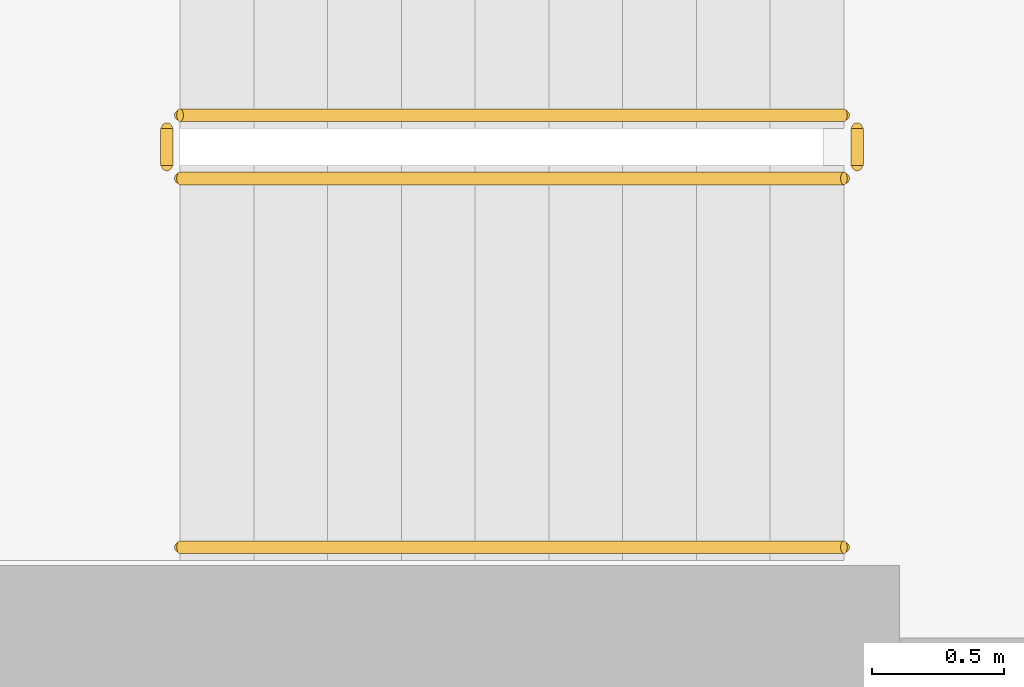
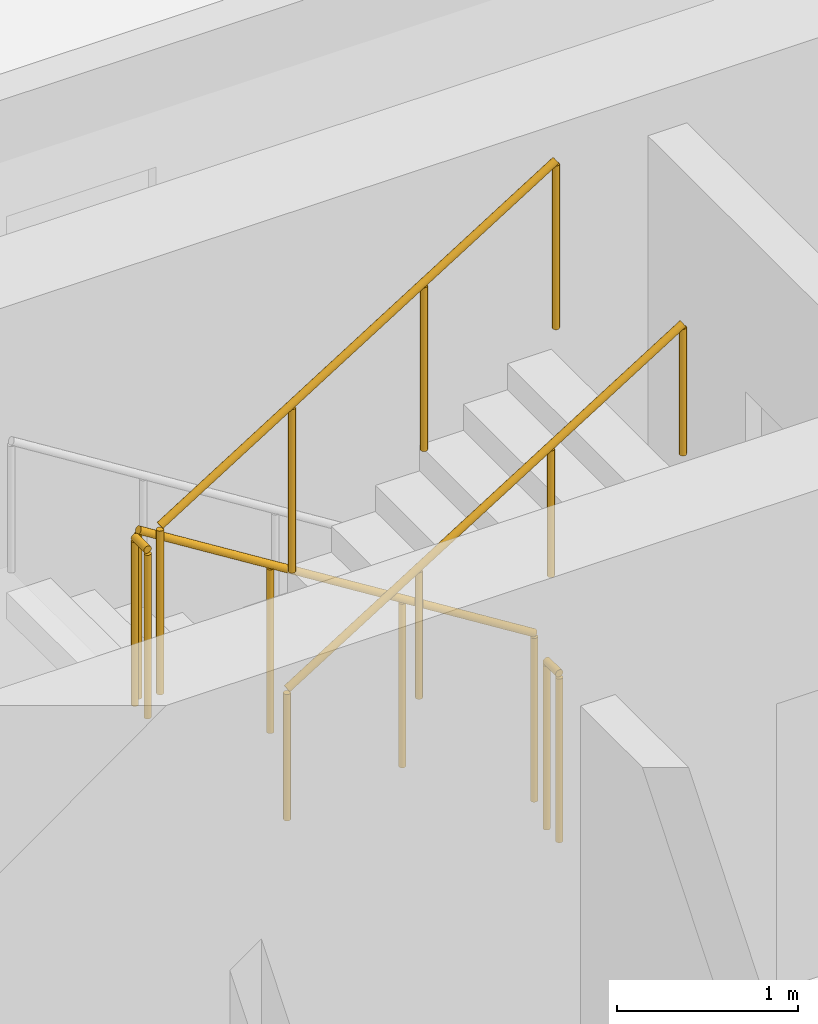
# One storey, part 25 of 27: 5 railings.
"""IFC4 building model written with IfcOpenShell, lengths in metres."""

from ifc_helpers import new_model, si_unit, derived_unit, direction, frame, origin, origin_2d, place, context, subcontext, project, spatial, circle, extrude, material, type_object, element, save


model = new_model("IFC4")

# Units and contexts
model_context = context("Model", 3, precision=1e-05, world=origin(), true_north=direction((0.0, 1.0)))
body_context = subcontext(model_context, "Body", "Model", "MODEL_VIEW")
ifc_project = project(units=[si_unit("LENGTHUNIT", "METRE"), si_unit("AREAUNIT", "SQUARE_METRE"), si_unit("VOLUMEUNIT", "CUBIC_METRE"), si_unit("PLANEANGLEUNIT", "RADIAN"), si_unit("MASSUNIT", "GRAM", prefix="KILO"), derived_unit("THERMALTRANSMITTANCEUNIT", [(si_unit("POWERUNIT", "WATT"), 1), (si_unit("LENGTHUNIT", "METRE"), -2), (si_unit("THERMODYNAMICTEMPERATUREUNIT", "KELVIN"), -1)])], contexts=[model_context])

# Site, building, storey
site_placement = place(None, origin())
site = spatial("IfcSite", under=ifc_project, at=site_placement, CompositionType="ELEMENT")
building_placement = place(site_placement, origin())
building = spatial("IfcBuilding", under=site, at=building_placement, Name="Kivonza Crest Hotel", CompositionType="ELEMENT")
storey_placement = place(building_placement, frame((0.0, 0.0, 41.5)))
storey = spatial("IfcBuildingStorey", under=building, at=storey_placement, Name="L10", CompositionType="ELEMENT", Elevation=41.5)

# Railings
ifc_material_1 = material(Name="Brushed stainless steel handrail", Category="steel")
railing_type_1 = type_object("IfcRailingType", Name="RL-HAND-900", PredefinedType="HANDRAIL", material=ifc_material_1)
railing_1_placement = place(storey_placement, frame((9.719970703125, 33.070068359375, 1.925048828125)))
element("IfcRailing", 1, at=railing_1_placement, inside=storey, type_object=railing_type_1, Name="L10 ST-T1-N stair handrail 2", PredefinedType="HANDRAIL", context=body_context, shape_type="SweptSolid", body=[
    extrude(circle(Radius=0.02392578125, at=origin_2d()), frame((0.0, 0.0, 0.8759765625), z_axis=(0.848007534815, 0.0, 0.529984170421), x_axis=(0.0, 1.0, 0.0)), (0.0, 0.0, 1.0), 2.9716796875),
    extrude(circle(Radius=0.02099609375, at=origin_2d()), origin(), (0.0, 0.0, 1.0), 0.851806640625),
    extrude(circle(Radius=0.02099609375, at=origin_2d()), frame((0.840087890625, 0.0, 0.52490234375)), (0.0, 0.0, 1.0), 0.851806640625),
    extrude(circle(Radius=0.02099609375, at=origin_2d()), frame((1.679931640625, 0.0, 1.050048828125)), (0.0, 0.0, 1.0), 0.851806640625),
    extrude(circle(Radius=0.02099609375, at=origin_2d()), frame((2.52001953125, 0.0, 1.574951171875)), (0.0, 0.0, 1.0), 0.851806640625),
])
ifc_material_2 = material(Name="Painted steel balustrade", Category="steel")
railing_type_2 = type_object("IfcRailingType", Name="RL-STAIR-1150", PredefinedType="BALUSTRADE", material=ifc_material_2)
railing_2_placement = place(storey_placement, frame((12.239990234375, 34.7099609375, 0.175048828125)))
element("IfcRailing", 2, at=railing_2_placement, inside=storey, type_object=railing_type_2, Name="L10 ST-T1-N stair guard 1", PredefinedType="BALUSTRADE", context=body_context, shape_type="SweptSolid", body=[
    extrude(circle(Radius=0.02392578125, at=origin_2d()), frame((0.0, 0.0, 1.1259765625), z_axis=(-0.848007534815, 0.0, 0.529984170421), x_axis=(0.0, -1.0, 0.0)), (0.0, 0.0, 1.0), 2.9716796875),
    extrude(circle(Radius=0.02099609375, at=origin_2d()), origin(), (0.0, 0.0, 1.0), 1.101806640625),
    extrude(circle(Radius=0.02099609375, at=origin_2d()), frame((-0.840087890625, 0.0, 0.52490234375)), (0.0, 0.0, 1.0), 1.101806640625),
    extrude(circle(Radius=0.02099609375, at=origin_2d()), frame((-1.679931640625, 0.0, 1.050048828125)), (0.0, 0.0, 1.0), 1.101806640625),
    extrude(circle(Radius=0.02099609375, at=origin_2d()), frame((-2.52001953125, 0.0, 1.574951171875)), (0.0, 0.0, 1.0), 1.101806640625),
])
railing_3_placement = place(storey_placement, frame((9.669921875, 34.659912109375, 1.75)))
element("IfcRailing", 3, at=railing_3_placement, inside=storey, type_object=railing_type_2, Name="L10 ST-T1-N stair guard 2", PredefinedType="BALUSTRADE", context=body_context, shape_type="SweptSolid", body=[
    extrude(circle(Radius=0.02392578125, at=origin_2d()), frame((0.0, 0.0, 1.1259765625), z_axis=(0.0, -1.0, 0.0), x_axis=(1.0, 0.0, 0.0)), (0.0, 0.0, 1.0), 0.139892578125),
    extrude(circle(Radius=0.02099609375, at=origin_2d()), origin(), (0.0, 0.0, 1.0), 1.101806640625),
    extrude(circle(Radius=0.02099609375, at=origin_2d()), frame((0.0, -0.139892578125, 0.0)), (0.0, 0.0, 1.0), 1.101806640625),
])
railing_4_placement = place(storey_placement, frame((9.719970703125, 34.469970703125, 1.925048828125)))
element("IfcRailing", 4, at=railing_4_placement, inside=storey, type_object=railing_type_2, Name="L10 ST-T1-N stair guard 3", PredefinedType="BALUSTRADE", context=body_context, shape_type="SweptSolid", body=[
    extrude(circle(Radius=0.02392578125, at=origin_2d()), frame((0.0, 0.0, 1.1259765625), z_axis=(0.848007534815, 0.0, 0.529984170421), x_axis=(0.0, 1.0, 0.0)), (0.0, 0.0, 1.0), 2.9716796875),
    extrude(circle(Radius=0.02099609375, at=origin_2d()), origin(), (0.0, 0.0, 1.0), 1.101806640625),
    extrude(circle(Radius=0.02099609375, at=origin_2d()), frame((0.840087890625, 0.0, 0.52490234375)), (0.0, 0.0, 1.0), 1.101806640625),
    extrude(circle(Radius=0.02099609375, at=origin_2d()), frame((1.679931640625, 0.0, 1.050048828125)), (0.0, 0.0, 1.0), 1.101806640625),
    extrude(circle(Radius=0.02099609375, at=origin_2d()), frame((2.52001953125, 0.0, 1.574951171875)), (0.0, 0.0, 1.0), 1.101806640625),
])
railing_5_placement = place(storey_placement, frame((12.2900390625, 34.659912109375, 0.0)))
element("IfcRailing", 5, at=railing_5_placement, inside=storey, type_object=railing_type_2, Name="L10 ST-T1-N stair guard 4", PredefinedType="BALUSTRADE", context=body_context, shape_type="SweptSolid", body=[
    extrude(circle(Radius=0.02392578125, at=origin_2d()), frame((0.0, 0.0, 1.1259765625), z_axis=(0.0, -1.0, 0.0), x_axis=(1.0, 0.0, 0.0)), (0.0, 0.0, 1.0), 0.139892578125),
    extrude(circle(Radius=0.02099609375, at=origin_2d()), origin(), (0.0, 0.0, 1.0), 1.101806640625),
    extrude(circle(Radius=0.02099609375, at=origin_2d()), frame((0.0, -0.139892578125, 0.0)), (0.0, 0.0, 1.0), 1.101806640625),
])

save(model, "model.ifc")
